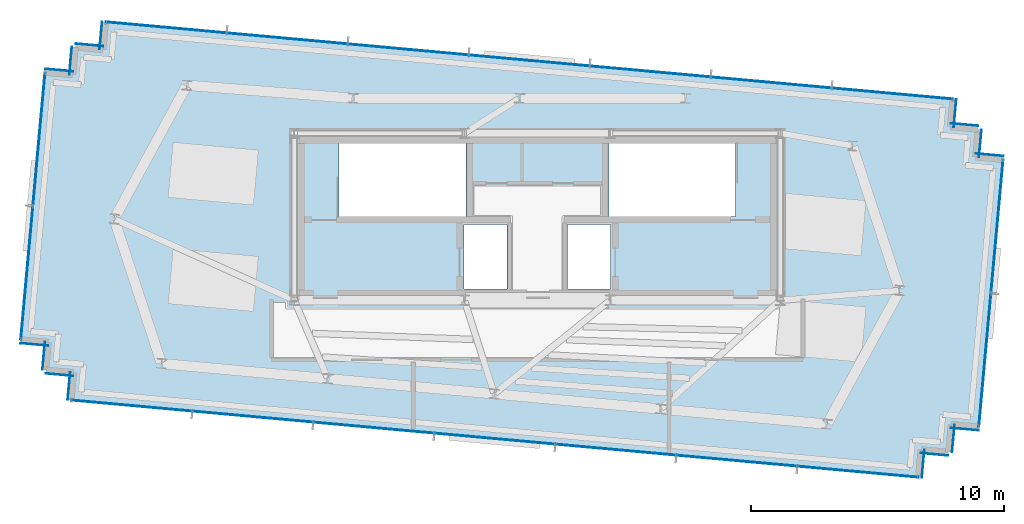
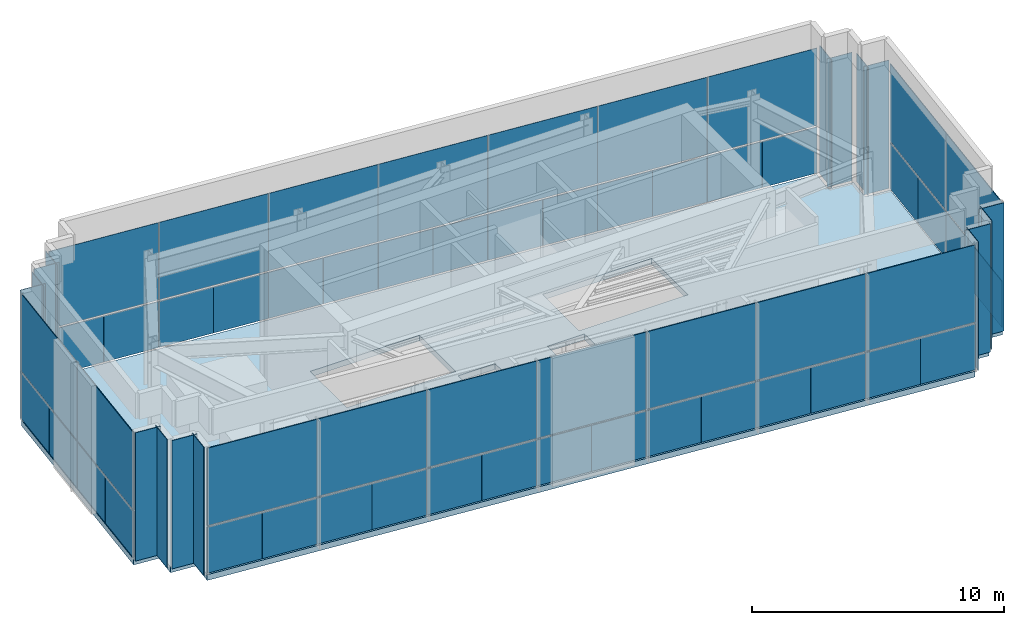
# One storey, part 14 of 18: 70 plates, 1 slab, 4 elements without a shape of their own.
"""IFC4 building model written with IfcOpenShell, lengths in metres."""

from ifc_helpers import new_model, si_unit, direction, frame, origin, origin_2d, place, context, subcontext, project, spatial, polyline, rectangle, outline, extrude, source, transform, mapped, material, layer, layer_set, type_object, type_shapes, element, aggregate, save


model = new_model("IFC4")

# Units and contexts
model_context = context("Model", 3, precision=1e-05, world=origin(), true_north=direction((0.0, 1.0)))
body_context = subcontext(model_context, "Body", "Model", "MODEL_VIEW")
ifc_project = project(units=[si_unit("LENGTHUNIT", "METRE"), si_unit("AREAUNIT", "SQUARE_METRE"), si_unit("VOLUMEUNIT", "CUBIC_METRE"), si_unit("PLANEANGLEUNIT", "RADIAN"), si_unit("MASSUNIT", "GRAM", prefix="KILO")], contexts=[model_context])

# Site, building, storey
site_placement = place(None, origin())
site = spatial("IfcSite", under=ifc_project, at=site_placement, CompositionType="ELEMENT")
building_placement = place(site_placement, origin())
building = spatial("IfcBuilding", under=site, at=building_placement, Name="Astriad Promenade Condominiums", CompositionType="ELEMENT")
storey_placement = place(building_placement, frame((0.0, 0.0, 290.300048828125)))
storey = spatial("IfcBuildingStorey", under=building, at=storey_placement, Name="L80", CompositionType="ELEMENT", Elevation=290.300048828125)

# Slab
ifc_material_1 = material(Name="Concrete C50/60", Category="concrete")
ifc_layer_1 = layer(ifc_material_1, 0.280029296875)
ifc_layer_set_1 = layer_set([ifc_layer_1], Name="Concrete C50/60")
slab_type = type_object("IfcSlabType", Name="CONCRETE CROWN FLOOR SLAB 280", PredefinedType="FLOOR", material=ifc_layer_set_1)
slab_placement = place(storey_placement, frame((0.0, 0.0, -0.280029296875)))
element("IfcSlab", 1, at=slab_placement, inside=storey, type_object=slab_type, Name="Structural Floor Slab (L80)", PredefinedType="FLOOR", context=body_context, shape_type="SweptSolid", body=[
    extrude(outline(polyline([(17.58935546875, 13.45361328125), (51.051025390625, 10.408203125), (51.15087890625, 11.503662109375), (52.246337890625, 11.404052734375), (52.345947265625, 12.49951171875), (53.44140625, 12.39990234375), (54.402099609375, 22.956298828125), (53.306640625, 23.055908203125), (53.406494140625, 24.1513671875), (52.310791015625, 24.2509765625), (52.41064453125, 25.346435546875), (18.948974609375, 28.391845703125), (18.84912109375, 27.29638671875), (17.753662109375, 27.39599609375), (17.654052734375, 26.300537109375), (16.55859375, 26.400146484375), (15.597900390625, 15.84375), (16.693359375, 15.744140625), (16.593505859375, 14.648681640625), (17.689208984375, 14.549072265625), (17.58935546875, 13.45361328125)]), holes=[polyline([(28.175048828125, 20.699951171875), (33.175048828125, 20.699951171875), (33.175048828125, 23.60009765625), (28.175048828125, 23.60009765625), (28.175048828125, 20.699951171875)]), polyline([(38.824951171875, 20.699951171875), (43.824951171875, 20.699951171875), (43.824951171875, 23.60009765625), (38.824951171875, 23.60009765625), (38.824951171875, 20.699951171875)]), polyline([(33.10009765625, 17.85009765625), (34.800048828125, 17.85009765625), (34.800048828125, 20.39990234375), (33.10009765625, 20.39990234375), (33.10009765625, 17.85009765625)]), polyline([(37.199951171875, 17.85009765625), (38.89990234375, 17.85009765625), (38.89990234375, 20.39990234375), (37.199951171875, 20.39990234375), (37.199951171875, 17.85009765625)])]), origin(), (0.0, 0.0, 1.0), 0.280029296875),
])

# Curtain wall, plates
ifc_material_2 = material(Name="Anodised aluminium Black Dark Glass Unitised", Category="aluminium")
curtain_wall_type = type_object("IfcCurtainWallType", Name="CW-TMD-LANTERN", PredefinedType="USERDEFINED", material=ifc_material_2)
curtain_wall_1_placement = place(storey_placement, origin())
curtain_wall_1 = element("IfcCurtainWall", 2, at=curtain_wall_1_placement, inside=storey, type_object=curtain_wall_type, Name="CW-CRN-L80-03", ObjectType="UNITISED_CURTAIN_WALL", PredefinedType="USERDEFINED")
ifc_material_3 = material(Name="Translucent Acoustic Fritted Dark Glass", Category="glass")
ifc_layer_2 = layer(ifc_material_3, 0.035888671875)
ifc_layer_set_2 = layer_set([ifc_layer_2], Name="Translucent Acoustic Fritted Dark Glass")
plate_type_1 = type_object("IfcPlateType", Name="PNL-LANTERN-GLOW-36", PredefinedType="CURTAIN_PANEL", material=ifc_layer_set_2)
shared_shape_1 = source(origin(), body_context, "Body", "SweptSolid", [
    extrude(rectangle(XDim=2.637939453125, YDim=0.035888671875, at=origin_2d()), origin(), (0.0, 0.0, 1.0), 2.22998046875),
])
plate_1_placement = place(storey_placement, frame((15.718017578125, 17.163330078125, 0.080078125), z_axis=(0.0, 0.0, 1.0), x_axis=(0.090632580198, 0.995884398616, 0.0)))
plate_1 = element("IfcPlate", 3, at=plate_1_placement, type_object=plate_type_1, Name="CW-CRN-L80-03-PNL-00-VL", PredefinedType="CURTAIN_PANEL", context=body_context, shape_type="MappedRepresentation", body=[
    mapped(shared_shape_1, transform((0.0, 0.0, 0.0), scale=1.0)),
])
plate_2_placement = place(storey_placement, frame((15.9580078125, 19.802490234375, 0.080078125), z_axis=(0.0, 0.0, 1.0), x_axis=(0.090632580198, 0.995884398616, 0.0)))
plate_2 = element("IfcPlate", 4, at=plate_2_placement, type_object=plate_type_1, Name="CW-CRN-L80-03-PNL-00-VR", PredefinedType="CURTAIN_PANEL", context=body_context, shape_type="MappedRepresentation", body=[
    mapped(shared_shape_1, transform((0.0, 0.0, 0.0), scale=1.0)),
])
plate_3_placement = place(storey_placement, frame((16.1982421875, 22.44140625, 0.080078125), z_axis=(0.0, 0.0, 1.0), x_axis=(0.090632580198, 0.995884398616, 0.0)))
plate_3 = element("IfcPlate", 5, at=plate_3_placement, type_object=plate_type_1, Name="CW-CRN-L80-03-PNL-01-VL", PredefinedType="CURTAIN_PANEL", context=body_context, shape_type="MappedRepresentation", body=[
    mapped(shared_shape_1, transform((0.0, 0.0, 0.0), scale=1.0)),
])
plate_4_placement = place(storey_placement, frame((16.4384765625, 25.080810546875, 0.080078125), z_axis=(0.0, 0.0, 1.0), x_axis=(0.090632580198, 0.995884398616, 0.0)))
plate_4 = element("IfcPlate", 6, at=plate_4_placement, type_object=plate_type_1, Name="CW-CRN-L80-03-PNL-01-VR", PredefinedType="CURTAIN_PANEL", context=body_context, shape_type="MappedRepresentation", body=[
    mapped(shared_shape_1, transform((0.0, 0.0, 0.0), scale=1.0)),
])

curtain_wall_2_placement = place(storey_placement, origin())
curtain_wall_2 = element("IfcCurtainWall", 7, at=curtain_wall_2_placement, inside=storey, type_object=curtain_wall_type, Name="CW-CRN-L80-13", ObjectType="UNITISED_CURTAIN_WALL", PredefinedType="USERDEFINED")
plate_5_placement = place(storey_placement, frame((54.281982421875, 21.63671875, 0.080078125), z_axis=(0.0, 0.0, 1.0), x_axis=(-0.090632580198, -0.995884398616, 0.0)))
plate_5 = element("IfcPlate", 8, at=plate_5_placement, type_object=plate_type_1, Name="CW-CRN-L80-13-PNL-00-VL", PredefinedType="CURTAIN_PANEL", context=body_context, shape_type="MappedRepresentation", body=[
    mapped(shared_shape_1, transform((0.0, 0.0, 0.0), scale=1.0)),
])
plate_6_placement = place(storey_placement, frame((54.0419921875, 18.99755859375, 0.080078125), z_axis=(0.0, 0.0, 1.0), x_axis=(-0.090632580198, -0.995884398616, 0.0)))
plate_6 = element("IfcPlate", 9, at=plate_6_placement, type_object=plate_type_1, Name="CW-CRN-L80-13-PNL-00-VR", PredefinedType="CURTAIN_PANEL", context=body_context, shape_type="MappedRepresentation", body=[
    mapped(shared_shape_1, transform((0.0, 0.0, 0.0), scale=1.0)),
])
plate_7_placement = place(storey_placement, frame((53.8017578125, 16.3583984375, 0.080078125), z_axis=(0.0, 0.0, 1.0), x_axis=(-0.090632580198, -0.995884398616, 0.0)))
plate_7 = element("IfcPlate", 10, at=plate_7_placement, type_object=plate_type_1, Name="CW-CRN-L80-13-PNL-01-VL", PredefinedType="CURTAIN_PANEL", context=body_context, shape_type="MappedRepresentation", body=[
    mapped(shared_shape_1, transform((0.0, 0.0, 0.0), scale=1.0)),
])
plate_8_placement = place(storey_placement, frame((53.5615234375, 13.719482421875, 0.080078125), z_axis=(0.0, 0.0, 1.0), x_axis=(-0.090632580198, -0.995884398616, 0.0)))
plate_8 = element("IfcPlate", 11, at=plate_8_placement, type_object=plate_type_1, Name="CW-CRN-L80-13-PNL-01-VR", PredefinedType="CURTAIN_PANEL", context=body_context, shape_type="MappedRepresentation", body=[
    mapped(shared_shape_1, transform((0.0, 0.0, 0.0), scale=1.0)),
])

# Plate
shared_shape_2 = source(origin(), body_context, "Body", "SweptSolid", [
    extrude(rectangle(XDim=5.2880859375, YDim=0.035888671875, at=origin_2d()), origin(), (0.0, 0.0, 1.0), 3.75),
])
plate_9_placement = place(storey_placement, frame((15.837890625, 18.48291015625, 2.389892578125), z_axis=(0.0, 0.0, 1.0), x_axis=(0.090632580198, 0.995884398616, 0.0)))
plate_9 = element("IfcPlate", 12, at=plate_9_placement, type_object=plate_type_1, Name="CW-CRN-L80-03-PNL-00-S", PredefinedType="CURTAIN_PANEL", context=body_context, shape_type="MappedRepresentation", body=[
    mapped(shared_shape_2, transform((0.0, 0.0, 0.0), scale=1.0)),
])

plate_10_placement = place(storey_placement, frame((16.318359375, 23.760986328125, 2.389892578125), z_axis=(0.0, 0.0, 1.0), x_axis=(0.090632580198, 0.995884398616, 0.0)))
plate_10 = element("IfcPlate", 13, at=plate_10_placement, type_object=plate_type_1, Name="CW-CRN-L80-03-PNL-01-S", PredefinedType="CURTAIN_PANEL", context=body_context, shape_type="MappedRepresentation", body=[
    mapped(shared_shape_2, transform((0.0, 0.0, 0.0), scale=1.0)),
])

aggregate(curtain_wall_1, [plate_1, plate_2, plate_9, plate_3, plate_4, plate_10])

plate_11_placement = place(storey_placement, frame((54.162109375, 20.317138671875, 2.389892578125), z_axis=(0.0, 0.0, 1.0), x_axis=(-0.090632580198, -0.995884398616, 0.0)))
plate_11 = element("IfcPlate", 14, at=plate_11_placement, type_object=plate_type_1, Name="CW-CRN-L80-13-PNL-00-S", PredefinedType="CURTAIN_PANEL", context=body_context, shape_type="MappedRepresentation", body=[
    mapped(shared_shape_2, transform((0.0, 0.0, 0.0), scale=1.0)),
])

plate_12_placement = place(storey_placement, frame((53.681640625, 15.038818359375, 2.389892578125), z_axis=(0.0, 0.0, 1.0), x_axis=(-0.090632580198, -0.995884398616, 0.0)))
plate_12 = element("IfcPlate", 15, at=plate_12_placement, type_object=plate_type_1, Name="CW-CRN-L80-13-PNL-01-S", PredefinedType="CURTAIN_PANEL", context=body_context, shape_type="MappedRepresentation", body=[
    mapped(shared_shape_2, transform((0.0, 0.0, 0.0), scale=1.0)),
])

aggregate(curtain_wall_2, [plate_5, plate_6, plate_11, plate_7, plate_8, plate_12])

# Plates
ifc_material_4 = material(Name="Powder-Coated White Aluminium Cladding Sheet", Category="aluminium")
ifc_layer_3 = layer(ifc_material_4, 0.01806640625)
ifc_layer_set_3 = layer_set([ifc_layer_3], Name="Powder-Coated White Aluminium Cladding Sheet")
plate_type_2 = type_object("IfcPlateType", Name="PNL-CROWN-RING-18", PredefinedType="SHEET", material=ifc_layer_set_3)
shared_shape_3 = source(origin(), body_context, "Body", "SweptSolid", [
    extrude(rectangle(XDim=1.10009765625, YDim=0.02490234375, at=origin_2d()), origin(), (0.0, 0.0, 1.0), 6.219970703125),
])
for number, where, z_axis, x_axis, name in (
    (16, (17.128662109375, 14.45947265625, 0.0), (0.0, 0.0, 1.0), (-0.995884398616, 0.090632580198, 0.0), "PLT-CRN-L80-00"),
    (17, (16.1328125, 15.654541015625, 0.0), (0.0, 0.0, 1.0), (-0.995884398616, 0.090632580198, 0.0), "PLT-CRN-L80-02"),
    (18, (17.118896484375, 26.48974609375, 0.0), (0.0, 0.0, 1.0), (0.995884398616, -0.090632580198, 0.0), "PLT-CRN-L80-04"),
    (19, (17.564453125, 26.861083984375, 0.0), (0.0, 0.0, 1.0), (0.090632580198, 0.995884398616, 0.0), "PLT-CRN-L80-05"),
    (20, (18.314208984375, 27.485595703125, 0.0), (0.0, 0.0, 1.0), (0.995884398616, -0.090632580198, 0.0), "PLT-CRN-L80-06"),
    (21, (18.759521484375, 27.856689453125, 0.0), (0.0, 0.0, 1.0), (0.090632580198, 0.995884398616, 0.0), "PLT-CRN-L80-07"),
    (22, (52.5, 24.785888671875, 0.0), (0.0, 0.0, 1.0), (-0.090632580198, -0.995884398616, 0.0), "PLT-CRN-L80-09"),
    (23, (52.871337890625, 24.340576171875, 0.0), (0.0, 0.0, 1.0), (0.995884398616, -0.090632580198, 0.0), "PLT-CRN-L80-10"),
    (24, (53.8671875, 23.1455078125, 0.0), (0.0, 0.0, 1.0), (0.995884398616, -0.090632580198, 0.0), "PLT-CRN-L80-12"),
    (25, (52.881103515625, 12.310302734375, 0.0), (0.0, 0.0, 1.0), (-0.995884398616, 0.090632580198, 0.0), "PLT-CRN-L80-14"),
    (26, (52.435546875, 11.939208984375, 0.0), (0.0, 0.0, 1.0), (-0.090632580198, -0.995884398616, 0.0), "PLT-CRN-L80-15"),
    (27, (51.685791015625, 11.314453125, 0.0), (0.0, 0.0, 1.0), (-0.995884398616, 0.090632580198, 0.0), "PLT-CRN-L80-16"),
    (28, (51.240234375, 10.943359375, 0.0), (0.0, 0.0, 1.0), (-0.090632580198, -0.995884398616, 0.0), "PLT-CRN-L80-17"),
    (29, (17.5, 14.013916015625, 0.0), (0.0, 0.0, 1.0), (0.090632580198, 0.995884398616, 0.0), "PLT-CRN-L80-19"),
):
    element("IfcPlate", number, at=place(storey_placement, frame(where, z_axis=z_axis, x_axis=x_axis)), inside=storey, type_object=plate_type_2, Name=name, PredefinedType="SHEET", context=body_context, shape_type="MappedRepresentation", body=[
        mapped(shared_shape_3, transform((0.0, 0.0, 0.0), scale=1.0)),
    ])
shared_shape_4 = source(origin(), body_context, "Body", "SweptSolid", [
    extrude(rectangle(XDim=1.099853515625, YDim=0.02490234375, at=origin_2d()), origin(), (0.0, 0.0, 1.0), 6.219970703125),
])
type_shapes(plate_type_2, [shared_shape_3, shared_shape_4])
for number, where, z_axis, x_axis, name in (
    (30, (16.504150390625, 15.208984375, 0.0), (0.0, 0.0, 1.0), (0.090649961646, 0.995882816627, 0.0), "PLT-CRN-L80-01"),
    (31, (53.495849609375, 23.5908203125, 0.0), (0.0, 0.0, 1.0), (-0.090649961646, -0.995882816627, 0.0), "PLT-CRN-L80-11"),
):
    element("IfcPlate", number, at=place(storey_placement, frame(where, z_axis=z_axis, x_axis=x_axis)), inside=storey, type_object=plate_type_2, Name=name, PredefinedType="SHEET", context=body_context, shape_type="MappedRepresentation", body=[
        mapped(shared_shape_4, transform((0.0, 0.0, 0.0), scale=1.0)),
    ])

# Curtain wall, plates
curtain_wall_3_placement = place(storey_placement, origin())
curtain_wall_3 = element("IfcCurtainWall", 32, at=curtain_wall_3_placement, inside=storey, type_object=curtain_wall_type, Name="CW-CRN-L80-08", ObjectType="UNITISED_CURTAIN_WALL", PredefinedType="USERDEFINED")
shared_shape_5 = source(origin(), body_context, "Body", "SweptSolid", [
    extrude(rectangle(XDim=2.387939453125, YDim=0.035888671875, at=origin_2d()), origin(), (0.0, 0.0, 1.0), 2.22998046875),
])
plate_13_placement = place(storey_placement, frame((20.143798828125, 28.282958984375, 0.080078125), z_axis=(0.0, 0.0, 1.0), x_axis=(0.995884398616, -0.090632580198, 0.0)))
plate_13 = element("IfcPlate", 33, at=plate_13_placement, type_object=plate_type_1, Name="CW-CRN-L80-08-PNL-00-VL", PredefinedType="CURTAIN_PANEL", context=body_context, shape_type="MappedRepresentation", body=[
    mapped(shared_shape_5, transform((0.0, 0.0, 0.0), scale=1.0)),
])
plate_14_placement = place(storey_placement, frame((22.5341796875, 28.065673828125, 0.080078125), z_axis=(0.0, 0.0, 1.0), x_axis=(0.995884398616, -0.090632580198, 0.0)))
plate_14 = element("IfcPlate", 34, at=plate_14_placement, type_object=plate_type_1, Name="CW-CRN-L80-08-PNL-00-VR", PredefinedType="CURTAIN_PANEL", context=body_context, shape_type="MappedRepresentation", body=[
    mapped(shared_shape_5, transform((0.0, 0.0, 0.0), scale=1.0)),
])
plate_15_placement = place(storey_placement, frame((24.92431640625, 27.847900390625, 0.080078125), z_axis=(0.0, 0.0, 1.0), x_axis=(0.995884398616, -0.090632580198, 0.0)))
plate_15 = element("IfcPlate", 35, at=plate_15_placement, type_object=plate_type_1, Name="CW-CRN-L80-08-PNL-01-VL", PredefinedType="CURTAIN_PANEL", context=body_context, shape_type="MappedRepresentation", body=[
    mapped(shared_shape_5, transform((0.0, 0.0, 0.0), scale=1.0)),
])
plate_16_placement = place(storey_placement, frame((27.314208984375, 27.630615234375, 0.080078125), z_axis=(0.0, 0.0, 1.0), x_axis=(0.995884398616, -0.090632580198, 0.0)))
plate_16 = element("IfcPlate", 36, at=plate_16_placement, type_object=plate_type_1, Name="CW-CRN-L80-08-PNL-01-VR", PredefinedType="CURTAIN_PANEL", context=body_context, shape_type="MappedRepresentation", body=[
    mapped(shared_shape_5, transform((0.0, 0.0, 0.0), scale=1.0)),
])
plate_17_placement = place(storey_placement, frame((29.70458984375, 27.412841796875, 0.080078125), z_axis=(0.0, 0.0, 1.0), x_axis=(0.995884398616, -0.090632580198, 0.0)))
plate_17 = element("IfcPlate", 37, at=plate_17_placement, type_object=plate_type_1, Name="CW-CRN-L80-08-PNL-02-VL", PredefinedType="CURTAIN_PANEL", context=body_context, shape_type="MappedRepresentation", body=[
    mapped(shared_shape_5, transform((0.0, 0.0, 0.0), scale=1.0)),
])
plate_18_placement = place(storey_placement, frame((32.094482421875, 27.195556640625, 0.080078125), z_axis=(0.0, 0.0, 1.0), x_axis=(0.995884398616, -0.090632580198, 0.0)))
plate_18 = element("IfcPlate", 38, at=plate_18_placement, type_object=plate_type_1, Name="CW-CRN-L80-08-PNL-02-VR", PredefinedType="CURTAIN_PANEL", context=body_context, shape_type="MappedRepresentation", body=[
    mapped(shared_shape_5, transform((0.0, 0.0, 0.0), scale=1.0)),
])
plate_19_placement = place(storey_placement, frame((34.484619140625, 26.977783203125, 0.080078125), z_axis=(0.0, 0.0, 1.0), x_axis=(0.995884398616, -0.090632580198, 0.0)))
plate_19 = element("IfcPlate", 39, at=plate_19_placement, type_object=plate_type_1, Name="CW-CRN-L80-08-PNL-03-VL", PredefinedType="CURTAIN_PANEL", context=body_context, shape_type="MappedRepresentation", body=[
    mapped(shared_shape_5, transform((0.0, 0.0, 0.0), scale=1.0)),
])
plate_20_placement = place(storey_placement, frame((36.874755859375, 26.760498046875, 0.080078125), z_axis=(0.0, 0.0, 1.0), x_axis=(0.995884398616, -0.090632580198, 0.0)))
plate_20 = element("IfcPlate", 40, at=plate_20_placement, type_object=plate_type_1, Name="CW-CRN-L80-08-PNL-03-VR", PredefinedType="CURTAIN_PANEL", context=body_context, shape_type="MappedRepresentation", body=[
    mapped(shared_shape_5, transform((0.0, 0.0, 0.0), scale=1.0)),
])
plate_21_placement = place(storey_placement, frame((39.264892578125, 26.542724609375, 0.080078125), z_axis=(0.0, 0.0, 1.0), x_axis=(0.995884398616, -0.090632580198, 0.0)))
plate_21 = element("IfcPlate", 41, at=plate_21_placement, type_object=plate_type_1, Name="CW-CRN-L80-08-PNL-04-VL", PredefinedType="CURTAIN_PANEL", context=body_context, shape_type="MappedRepresentation", body=[
    mapped(shared_shape_5, transform((0.0, 0.0, 0.0), scale=1.0)),
])
plate_22_placement = place(storey_placement, frame((41.655029296875, 26.325439453125, 0.080078125), z_axis=(0.0, 0.0, 1.0), x_axis=(0.995884398616, -0.090632580198, 0.0)))
plate_22 = element("IfcPlate", 42, at=plate_22_placement, type_object=plate_type_1, Name="CW-CRN-L80-08-PNL-04-VR", PredefinedType="CURTAIN_PANEL", context=body_context, shape_type="MappedRepresentation", body=[
    mapped(shared_shape_5, transform((0.0, 0.0, 0.0), scale=1.0)),
])
plate_23_placement = place(storey_placement, frame((44.045166015625, 26.10791015625, 0.080078125), z_axis=(0.0, 0.0, 1.0), x_axis=(0.995884398616, -0.090632580198, 0.0)))
plate_23 = element("IfcPlate", 43, at=plate_23_placement, type_object=plate_type_1, Name="CW-CRN-L80-08-PNL-05-VL", PredefinedType="CURTAIN_PANEL", context=body_context, shape_type="MappedRepresentation", body=[
    mapped(shared_shape_5, transform((0.0, 0.0, 0.0), scale=1.0)),
])
plate_24_placement = place(storey_placement, frame((46.435302734375, 25.890380859375, 0.080078125), z_axis=(0.0, 0.0, 1.0), x_axis=(0.995884398616, -0.090632580198, 0.0)))
plate_24 = element("IfcPlate", 44, at=plate_24_placement, type_object=plate_type_1, Name="CW-CRN-L80-08-PNL-05-VR", PredefinedType="CURTAIN_PANEL", context=body_context, shape_type="MappedRepresentation", body=[
    mapped(shared_shape_5, transform((0.0, 0.0, 0.0), scale=1.0)),
])
plate_25_placement = place(storey_placement, frame((48.825439453125, 25.6728515625, 0.080078125), z_axis=(0.0, 0.0, 1.0), x_axis=(0.995884398616, -0.090632580198, 0.0)))
plate_25 = element("IfcPlate", 45, at=plate_25_placement, type_object=plate_type_1, Name="CW-CRN-L80-08-PNL-06-VL", PredefinedType="CURTAIN_PANEL", context=body_context, shape_type="MappedRepresentation", body=[
    mapped(shared_shape_5, transform((0.0, 0.0, 0.0), scale=1.0)),
])
plate_26_placement = place(storey_placement, frame((51.215576171875, 25.455078125, 0.080078125), z_axis=(0.0, 0.0, 1.0), x_axis=(0.995884398616, -0.090632580198, 0.0)))
plate_26 = element("IfcPlate", 46, at=plate_26_placement, type_object=plate_type_1, Name="CW-CRN-L80-08-PNL-06-VR", PredefinedType="CURTAIN_PANEL", context=body_context, shape_type="MappedRepresentation", body=[
    mapped(shared_shape_5, transform((0.0, 0.0, 0.0), scale=1.0)),
])

curtain_wall_4_placement = place(storey_placement, origin())
curtain_wall_4 = element("IfcCurtainWall", 47, at=curtain_wall_4_placement, inside=storey, type_object=curtain_wall_type, Name="CW-CRN-L80-18", ObjectType="UNITISED_CURTAIN_WALL", PredefinedType="USERDEFINED")
plate_27_placement = place(storey_placement, frame((49.85595703125, 10.51708984375, 0.080078125), z_axis=(0.0, 0.0, 1.0), x_axis=(-0.995884398616, 0.090632580198, 0.0)))
plate_27 = element("IfcPlate", 48, at=plate_27_placement, type_object=plate_type_1, Name="CW-CRN-L80-18-PNL-00-VL", PredefinedType="CURTAIN_PANEL", context=body_context, shape_type="MappedRepresentation", body=[
    mapped(shared_shape_5, transform((0.0, 0.0, 0.0), scale=1.0)),
])
plate_28_placement = place(storey_placement, frame((47.4658203125, 10.734375, 0.080078125), z_axis=(0.0, 0.0, 1.0), x_axis=(-0.995884398616, 0.090632580198, 0.0)))
plate_28 = element("IfcPlate", 49, at=plate_28_placement, type_object=plate_type_1, Name="CW-CRN-L80-18-PNL-00-VR", PredefinedType="CURTAIN_PANEL", context=body_context, shape_type="MappedRepresentation", body=[
    mapped(shared_shape_5, transform((0.0, 0.0, 0.0), scale=1.0)),
])
plate_29_placement = place(storey_placement, frame((45.07568359375, 10.951904296875, 0.080078125), z_axis=(0.0, 0.0, 1.0), x_axis=(-0.995884398616, 0.090632580198, 0.0)))
plate_29 = element("IfcPlate", 50, at=plate_29_placement, type_object=plate_type_1, Name="CW-CRN-L80-18-PNL-01-VL", PredefinedType="CURTAIN_PANEL", context=body_context, shape_type="MappedRepresentation", body=[
    mapped(shared_shape_5, transform((0.0, 0.0, 0.0), scale=1.0)),
])
plate_30_placement = place(storey_placement, frame((42.685791015625, 11.16943359375, 0.080078125), z_axis=(0.0, 0.0, 1.0), x_axis=(-0.995884398616, 0.090632580198, 0.0)))
plate_30 = element("IfcPlate", 51, at=plate_30_placement, type_object=plate_type_1, Name="CW-CRN-L80-18-PNL-01-VR", PredefinedType="CURTAIN_PANEL", context=body_context, shape_type="MappedRepresentation", body=[
    mapped(shared_shape_5, transform((0.0, 0.0, 0.0), scale=1.0)),
])
plate_31_placement = place(storey_placement, frame((40.29541015625, 11.38720703125, 0.080078125), z_axis=(0.0, 0.0, 1.0), x_axis=(-0.995884398616, 0.090632580198, 0.0)))
plate_31 = element("IfcPlate", 52, at=plate_31_placement, type_object=plate_type_1, Name="CW-CRN-L80-18-PNL-02-VL", PredefinedType="CURTAIN_PANEL", context=body_context, shape_type="MappedRepresentation", body=[
    mapped(shared_shape_5, transform((0.0, 0.0, 0.0), scale=1.0)),
])
plate_32_placement = place(storey_placement, frame((37.905517578125, 11.6044921875, 0.080078125), z_axis=(0.0, 0.0, 1.0), x_axis=(-0.995884398616, 0.090632580198, 0.0)))
plate_32 = element("IfcPlate", 53, at=plate_32_placement, type_object=plate_type_1, Name="CW-CRN-L80-18-PNL-02-VR", PredefinedType="CURTAIN_PANEL", context=body_context, shape_type="MappedRepresentation", body=[
    mapped(shared_shape_5, transform((0.0, 0.0, 0.0), scale=1.0)),
])
plate_33_placement = place(storey_placement, frame((35.515380859375, 11.822021484375, 0.080078125), z_axis=(0.0, 0.0, 1.0), x_axis=(-0.995884398616, 0.090632580198, 0.0)))
plate_33 = element("IfcPlate", 54, at=plate_33_placement, type_object=plate_type_1, Name="CW-CRN-L80-18-PNL-03-VL", PredefinedType="CURTAIN_PANEL", context=body_context, shape_type="MappedRepresentation", body=[
    mapped(shared_shape_5, transform((0.0, 0.0, 0.0), scale=1.0)),
])
plate_34_placement = place(storey_placement, frame((33.125244140625, 12.03955078125, 0.080078125), z_axis=(0.0, 0.0, 1.0), x_axis=(-0.995884398616, 0.090632580198, 0.0)))
plate_34 = element("IfcPlate", 55, at=plate_34_placement, type_object=plate_type_1, Name="CW-CRN-L80-18-PNL-03-VR", PredefinedType="CURTAIN_PANEL", context=body_context, shape_type="MappedRepresentation", body=[
    mapped(shared_shape_5, transform((0.0, 0.0, 0.0), scale=1.0)),
])
plate_35_placement = place(storey_placement, frame((30.735107421875, 12.257080078125, 0.080078125), z_axis=(0.0, 0.0, 1.0), x_axis=(-0.995884398616, 0.090632580198, 0.0)))
plate_35 = element("IfcPlate", 56, at=plate_35_placement, type_object=plate_type_1, Name="CW-CRN-L80-18-PNL-04-VL", PredefinedType="CURTAIN_PANEL", context=body_context, shape_type="MappedRepresentation", body=[
    mapped(shared_shape_5, transform((0.0, 0.0, 0.0), scale=1.0)),
])
plate_36_placement = place(storey_placement, frame((28.344970703125, 12.474609375, 0.080078125), z_axis=(0.0, 0.0, 1.0), x_axis=(-0.995884398616, 0.090632580198, 0.0)))
plate_36 = element("IfcPlate", 57, at=plate_36_placement, type_object=plate_type_1, Name="CW-CRN-L80-18-PNL-04-VR", PredefinedType="CURTAIN_PANEL", context=body_context, shape_type="MappedRepresentation", body=[
    mapped(shared_shape_5, transform((0.0, 0.0, 0.0), scale=1.0)),
])
plate_37_placement = place(storey_placement, frame((25.954833984375, 12.692138671875, 0.080078125), z_axis=(0.0, 0.0, 1.0), x_axis=(-0.995884398616, 0.090632580198, 0.0)))
plate_37 = element("IfcPlate", 58, at=plate_37_placement, type_object=plate_type_1, Name="CW-CRN-L80-18-PNL-05-VL", PredefinedType="CURTAIN_PANEL", context=body_context, shape_type="MappedRepresentation", body=[
    mapped(shared_shape_5, transform((0.0, 0.0, 0.0), scale=1.0)),
])
plate_38_placement = place(storey_placement, frame((23.564697265625, 12.90966796875, 0.080078125), z_axis=(0.0, 0.0, 1.0), x_axis=(-0.995884398616, 0.090632580198, 0.0)))
plate_38 = element("IfcPlate", 59, at=plate_38_placement, type_object=plate_type_1, Name="CW-CRN-L80-18-PNL-05-VR", PredefinedType="CURTAIN_PANEL", context=body_context, shape_type="MappedRepresentation", body=[
    mapped(shared_shape_5, transform((0.0, 0.0, 0.0), scale=1.0)),
])
plate_39_placement = place(storey_placement, frame((21.174560546875, 13.127197265625, 0.080078125), z_axis=(0.0, 0.0, 1.0), x_axis=(-0.995884398616, 0.090632580198, 0.0)))
plate_39 = element("IfcPlate", 60, at=plate_39_placement, type_object=plate_type_1, Name="CW-CRN-L80-18-PNL-06-VL", PredefinedType="CURTAIN_PANEL", context=body_context, shape_type="MappedRepresentation", body=[
    mapped(shared_shape_5, transform((0.0, 0.0, 0.0), scale=1.0)),
])
plate_40_placement = place(storey_placement, frame((18.784423828125, 13.3447265625, 0.080078125), z_axis=(0.0, 0.0, 1.0), x_axis=(-0.995884398616, 0.090632580198, 0.0)))
plate_40 = element("IfcPlate", 61, at=plate_40_placement, type_object=plate_type_1, Name="CW-CRN-L80-18-PNL-06-VR", PredefinedType="CURTAIN_PANEL", context=body_context, shape_type="MappedRepresentation", body=[
    mapped(shared_shape_5, transform((0.0, 0.0, 0.0), scale=1.0)),
])

# Plate
shared_shape_6 = source(origin(), body_context, "Body", "SweptSolid", [
    extrude(rectangle(XDim=4.7880859375, YDim=0.035888671875, at=origin_2d()), origin(), (0.0, 0.0, 1.0), 3.75),
])
type_shapes(plate_type_1, [shared_shape_1, shared_shape_2, shared_shape_5, shared_shape_6])
plate_41_placement = place(storey_placement, frame((21.339111328125, 28.17431640625, 2.389892578125), z_axis=(0.0, 0.0, 1.0), x_axis=(0.995884398616, -0.090632580198, 0.0)))
plate_41 = element("IfcPlate", 62, at=plate_41_placement, type_object=plate_type_1, Name="CW-CRN-L80-08-PNL-00-S", PredefinedType="CURTAIN_PANEL", context=body_context, shape_type="MappedRepresentation", body=[
    mapped(shared_shape_6, transform((0.0, 0.0, 0.0), scale=1.0)),
])

plate_42_placement = place(storey_placement, frame((26.119384765625, 27.7392578125, 2.389892578125), z_axis=(0.0, 0.0, 1.0), x_axis=(0.995884398616, -0.090632580198, 0.0)))
plate_42 = element("IfcPlate", 63, at=plate_42_placement, type_object=plate_type_1, Name="CW-CRN-L80-08-PNL-01-S", PredefinedType="CURTAIN_PANEL", context=body_context, shape_type="MappedRepresentation", body=[
    mapped(shared_shape_6, transform((0.0, 0.0, 0.0), scale=1.0)),
])

plate_43_placement = place(storey_placement, frame((30.8994140625, 27.30419921875, 2.389892578125), z_axis=(0.0, 0.0, 1.0), x_axis=(0.995884398616, -0.090632580198, 0.0)))
plate_43 = element("IfcPlate", 64, at=plate_43_placement, type_object=plate_type_1, Name="CW-CRN-L80-08-PNL-02-S", PredefinedType="CURTAIN_PANEL", context=body_context, shape_type="MappedRepresentation", body=[
    mapped(shared_shape_6, transform((0.0, 0.0, 0.0), scale=1.0)),
])

plate_44_placement = place(storey_placement, frame((35.6796875, 26.869140625, 2.389892578125), z_axis=(0.0, 0.0, 1.0), x_axis=(0.995884398616, -0.090632580198, 0.0)))
plate_44 = element("IfcPlate", 65, at=plate_44_placement, type_object=plate_type_1, Name="CW-CRN-L80-08-PNL-03-S", PredefinedType="CURTAIN_PANEL", context=body_context, shape_type="MappedRepresentation", body=[
    mapped(shared_shape_6, transform((0.0, 0.0, 0.0), scale=1.0)),
])

plate_45_placement = place(storey_placement, frame((40.4599609375, 26.43408203125, 2.389892578125), z_axis=(0.0, 0.0, 1.0), x_axis=(0.995884398616, -0.090632580198, 0.0)))
plate_45 = element("IfcPlate", 66, at=plate_45_placement, type_object=plate_type_1, Name="CW-CRN-L80-08-PNL-04-S", PredefinedType="CURTAIN_PANEL", context=body_context, shape_type="MappedRepresentation", body=[
    mapped(shared_shape_6, transform((0.0, 0.0, 0.0), scale=1.0)),
])

plate_46_placement = place(storey_placement, frame((45.240234375, 25.9990234375, 2.389892578125), z_axis=(0.0, 0.0, 1.0), x_axis=(0.995884398616, -0.090632580198, 0.0)))
plate_46 = element("IfcPlate", 67, at=plate_46_placement, type_object=plate_type_1, Name="CW-CRN-L80-08-PNL-05-S", PredefinedType="CURTAIN_PANEL", context=body_context, shape_type="MappedRepresentation", body=[
    mapped(shared_shape_6, transform((0.0, 0.0, 0.0), scale=1.0)),
])

plate_47_placement = place(storey_placement, frame((50.0205078125, 25.56396484375, 2.389892578125), z_axis=(0.0, 0.0, 1.0), x_axis=(0.995884398616, -0.090632580198, 0.0)))
plate_47 = element("IfcPlate", 68, at=plate_47_placement, type_object=plate_type_1, Name="CW-CRN-L80-08-PNL-06-S", PredefinedType="CURTAIN_PANEL", context=body_context, shape_type="MappedRepresentation", body=[
    mapped(shared_shape_6, transform((0.0, 0.0, 0.0), scale=1.0)),
])

aggregate(curtain_wall_3, [plate_13, plate_14, plate_41, plate_15, plate_16, plate_42, plate_17, plate_18, plate_43, plate_19, plate_20, plate_44, plate_21, plate_22, plate_45, plate_23, plate_24, plate_46, plate_25, plate_26, plate_47])

plate_48_placement = place(storey_placement, frame((48.660888671875, 10.625732421875, 2.389892578125), z_axis=(0.0, 0.0, 1.0), x_axis=(-0.995884398616, 0.090632580198, 0.0)))
plate_48 = element("IfcPlate", 69, at=plate_48_placement, type_object=plate_type_1, Name="CW-CRN-L80-18-PNL-00-S", PredefinedType="CURTAIN_PANEL", context=body_context, shape_type="MappedRepresentation", body=[
    mapped(shared_shape_6, transform((0.0, 0.0, 0.0), scale=1.0)),
])

plate_49_placement = place(storey_placement, frame((43.880615234375, 11.060791015625, 2.389892578125), z_axis=(0.0, 0.0, 1.0), x_axis=(-0.995884398616, 0.090632580198, 0.0)))
plate_49 = element("IfcPlate", 70, at=plate_49_placement, type_object=plate_type_1, Name="CW-CRN-L80-18-PNL-01-S", PredefinedType="CURTAIN_PANEL", context=body_context, shape_type="MappedRepresentation", body=[
    mapped(shared_shape_6, transform((0.0, 0.0, 0.0), scale=1.0)),
])

plate_50_placement = place(storey_placement, frame((39.1005859375, 11.495849609375, 2.389892578125), z_axis=(0.0, 0.0, 1.0), x_axis=(-0.995884398616, 0.090632580198, 0.0)))
plate_50 = element("IfcPlate", 71, at=plate_50_placement, type_object=plate_type_1, Name="CW-CRN-L80-18-PNL-02-S", PredefinedType="CURTAIN_PANEL", context=body_context, shape_type="MappedRepresentation", body=[
    mapped(shared_shape_6, transform((0.0, 0.0, 0.0), scale=1.0)),
])

plate_51_placement = place(storey_placement, frame((34.3203125, 11.930908203125, 2.389892578125), z_axis=(0.0, 0.0, 1.0), x_axis=(-0.995884398616, 0.090632580198, 0.0)))
plate_51 = element("IfcPlate", 72, at=plate_51_placement, type_object=plate_type_1, Name="CW-CRN-L80-18-PNL-03-S", PredefinedType="CURTAIN_PANEL", context=body_context, shape_type="MappedRepresentation", body=[
    mapped(shared_shape_6, transform((0.0, 0.0, 0.0), scale=1.0)),
])

plate_52_placement = place(storey_placement, frame((29.5400390625, 12.365966796875, 2.389892578125), z_axis=(0.0, 0.0, 1.0), x_axis=(-0.995884398616, 0.090632580198, 0.0)))
plate_52 = element("IfcPlate", 73, at=plate_52_placement, type_object=plate_type_1, Name="CW-CRN-L80-18-PNL-04-S", PredefinedType="CURTAIN_PANEL", context=body_context, shape_type="MappedRepresentation", body=[
    mapped(shared_shape_6, transform((0.0, 0.0, 0.0), scale=1.0)),
])

plate_53_placement = place(storey_placement, frame((24.759765625, 12.801025390625, 2.389892578125), z_axis=(0.0, 0.0, 1.0), x_axis=(-0.995884398616, 0.090632580198, 0.0)))
plate_53 = element("IfcPlate", 74, at=plate_53_placement, type_object=plate_type_1, Name="CW-CRN-L80-18-PNL-05-S", PredefinedType="CURTAIN_PANEL", context=body_context, shape_type="MappedRepresentation", body=[
    mapped(shared_shape_6, transform((0.0, 0.0, 0.0), scale=1.0)),
])

plate_54_placement = place(storey_placement, frame((19.9794921875, 13.236083984375, 2.389892578125), z_axis=(0.0, 0.0, 1.0), x_axis=(-0.995884398616, 0.090632580198, 0.0)))
plate_54 = element("IfcPlate", 75, at=plate_54_placement, type_object=plate_type_1, Name="CW-CRN-L80-18-PNL-06-S", PredefinedType="CURTAIN_PANEL", context=body_context, shape_type="MappedRepresentation", body=[
    mapped(shared_shape_6, transform((0.0, 0.0, 0.0), scale=1.0)),
])

aggregate(curtain_wall_4, [plate_27, plate_28, plate_48, plate_29, plate_30, plate_49, plate_31, plate_32, plate_50, plate_33, plate_34, plate_51, plate_35, plate_36, plate_52, plate_37, plate_38, plate_53, plate_39, plate_40, plate_54])

save(model, "model.ifc")
